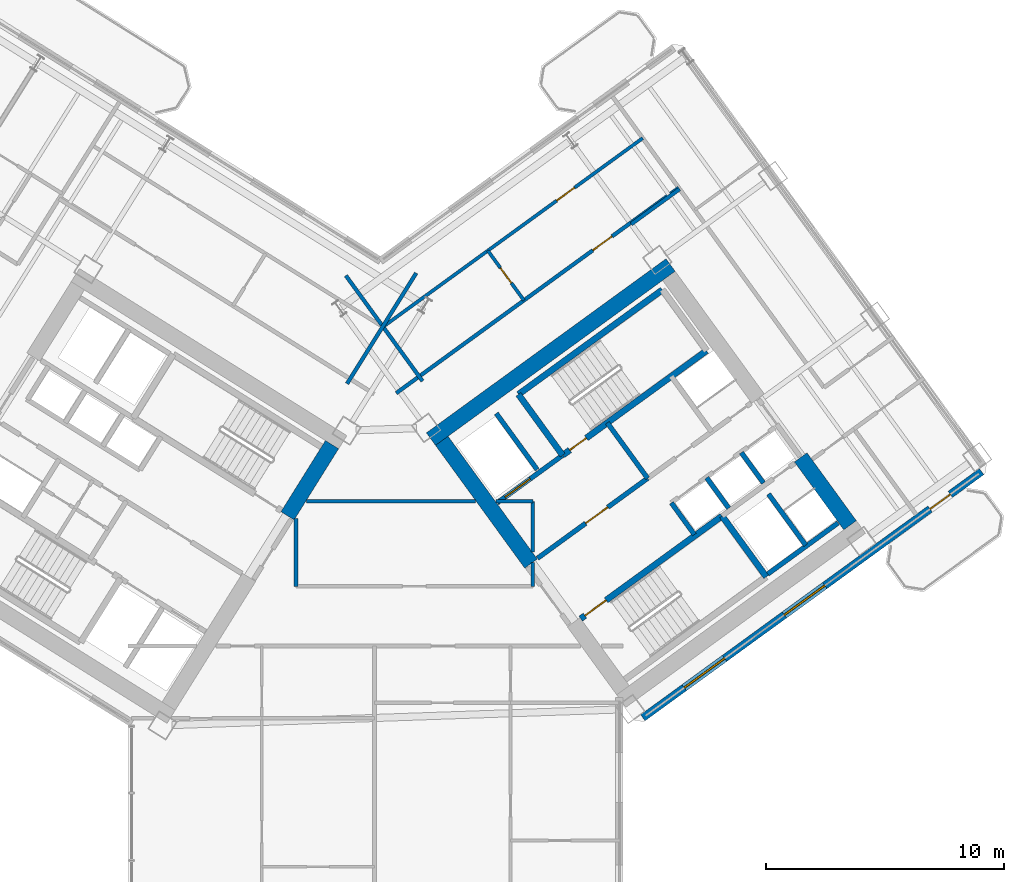
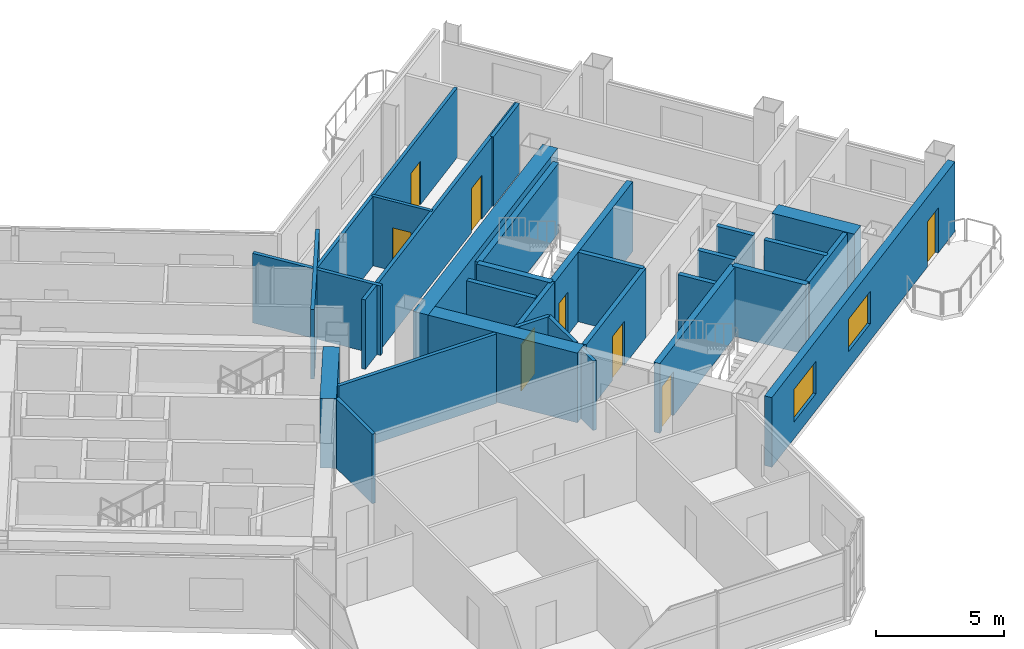
# One storey, part 14 of 22: 30 walls, 8 doors, 2 windows, 10 openings.
"""IFC4 building model written with IfcOpenShell, lengths in metres."""

from ifc_helpers import new_model, si_unit, direction, frame, frame_2d, origin, place, context, subcontext, project, spatial, rectangle, extrude, source, transform, mapped, material, layer, layer_set, type_object, element, fill, save


model = new_model("IFC4")

# Units and contexts
model_context = context("Model", 3, precision=1e-05, world=origin(), true_north=direction((0.0, 1.0)))
body_context = subcontext(model_context, "Body", "Model", "MODEL_VIEW")
ifc_project = project(units=[si_unit("LENGTHUNIT", "METRE"), si_unit("AREAUNIT", "SQUARE_METRE"), si_unit("VOLUMEUNIT", "CUBIC_METRE"), si_unit("PLANEANGLEUNIT", "RADIAN"), si_unit("MASSUNIT", "GRAM", prefix="KILO")], contexts=[model_context])

# Site, building, storey
site_placement = place(None, origin())
site = spatial("IfcSite", under=ifc_project, at=site_placement, CompositionType="ELEMENT")
building_placement = place(site_placement, origin())
building = spatial("IfcBuilding", under=site, at=building_placement, Name="Tlacorven Tower", CompositionType="ELEMENT")
storey_placement = place(building_placement, frame((0.0, 0.0, 97.199951171875)))
storey = spatial("IfcBuildingStorey", under=building, at=storey_placement, Name="L24", CompositionType="ELEMENT", Elevation=97.199951171875)

# Walls
ifc_material_1 = material(Name="Concrete C60/75", Category="concrete")
ifc_layer_1 = layer(ifc_material_1, 0.64990234375)
ifc_layer_set_1 = layer_set([ifc_layer_1], Name="Concrete C60/75")
wall_type_1 = type_object("IfcWallType", Name="WL-COR-650", PredefinedType="SHEAR", material=ifc_layer_set_1)
wall_1_placement = place(storey_placement, frame((40.167724609375, 23.880126953125, 0.0), z_axis=(0.0, 0.0, 1.0), x_axis=(-0.529893103397, -0.8480644427, 0.0)))
element("IfcWall", 1, at=wall_1_placement, inside=storey, type_object=wall_type_1, Name="L24 W core end wall E1.1", PredefinedType="SHEAR", context=body_context, shape_type="SweptSolid", body=[
    extrude(rectangle(XDim=3.525146484375, YDim=0.64990234375, at=frame_2d((1.7626953125, 0.0))), origin(), (0.0, 0.0, 1.0), 3.320068359375),
])
wall_2_placement = place(storey_placement, frame((44.32470703125, 24.113037109375, 0.0), z_axis=(0.0, 0.0, 1.0), x_axis=(0.809012664862, 0.58779121131, 0.0)))
element("IfcWall", 2, at=wall_2_placement, inside=storey, type_object=wall_type_1, Name="L24 E core shear wall S2", PredefinedType="SHEAR", context=body_context, shape_type="SweptSolid", body=[
    extrude(rectangle(XDim=12.439697265625, YDim=0.64990234375, at=frame_2d((6.2197265625, 0.0))), origin(), (0.0, 0.0, 1.0), 3.320068359375),
])
wall_3_placement = place(storey_placement, frame((48.525634765625, 18.883544921875, 0.0), z_axis=(0.0, 0.0, 1.0), x_axis=(-0.58777996584, 0.809020835181, 0.0)))
element("IfcWall", 3, at=wall_3_placement, inside=storey, type_object=wall_type_1, Name="L24 E core end wall E1.2", PredefinedType="SHEAR", context=body_context, shape_type="SweptSolid", body=[
    extrude(rectangle(XDim=6.375, YDim=0.64990234375, at=frame_2d((3.1875, 0.0))), origin(), (0.0, 0.0, 1.0), 3.320068359375),
])
wall_4_placement = place(storey_placement, frame((61.9287109375, 20.494384765625, 0.0), z_axis=(0.0, 0.0, 1.0), x_axis=(-0.58782982593, 0.808984607855, 0.0)))
element("IfcWall", 4, at=wall_4_placement, inside=storey, type_object=wall_type_1, Name="L24 E core end wall E2.1", PredefinedType="SHEAR", context=body_context, shape_type="SweptSolid", body=[
    extrude(rectangle(XDim=3.52490234375, YDim=0.64990234375, at=frame_2d((1.762451171875, 0.0))), origin(), (0.0, 0.0, 1.0), 3.320068359375),
])
ifc_material_2 = material(Name="Gypsum plasterboard acoustic partition", Category="gypsum")
ifc_layer_2 = layer(ifc_material_2, 0.159912109375)
ifc_layer_set_2 = layer_set([ifc_layer_2], Name="Gypsum plasterboard acoustic partition")
wall_type_2 = type_object("IfcWallType", Name="WL-DEM-160", PredefinedType="PARTITIONING", material=ifc_layer_set_2)
wall_5_placement = place(storey_placement, frame((43.70361328125, 31.086181640625, 0.0), z_axis=(0.0, 0.0, 1.0), x_axis=(-0.529906828443, -0.848055866774, 0.0)))
element("IfcWall", 5, at=wall_5_placement, inside=storey, type_object=wall_type_2, Name="L24 WC West Throat Wall", PredefinedType="PARTITIONING", context=body_context, shape_type="SweptSolid", body=[
    extrude(rectangle(XDim=5.479736328125, YDim=0.159912109375, at=frame_2d((2.73974609375, 0.0))), origin(), (0.0, 0.0, 1.0), 3.31005859375),
])
wall_6_placement = place(storey_placement, frame((38.64990234375, 17.929931640625, 0.0), z_axis=(0.0, 0.0, 1.0), x_axis=(0.0, 1.0, 0.0)))
element("IfcWall", 6, at=wall_6_placement, inside=storey, type_object=wall_type_2, Name="L24 partition 86", PredefinedType="PARTITIONING", context=body_context, shape_type="SweptSolid", body=[
    extrude(rectangle(XDim=2.85693359375, YDim=0.159912109375, at=frame_2d((1.428466796875, 0.0))), origin(), (0.0, 0.0, 1.0), 3.31005859375),
])
wall_7_placement = place(storey_placement, frame((48.60009765625, 17.929931640625, 0.0), z_axis=(0.0, 0.0, 1.0), x_axis=(0.0, 1.0, 0.0)))
element("IfcWall", 7, at=wall_7_placement, inside=storey, type_object=wall_type_2, Name="L24 partition 87", PredefinedType="PARTITIONING", context=body_context, shape_type="SweptSolid", body=[
    extrude(rectangle(XDim=0.99267578125, YDim=0.159912109375, at=frame_2d((0.496337890625, 0.0))), origin(), (0.0, 0.0, 1.0), 3.31005859375),
])
wall_8_placement = place(storey_placement, frame((48.60009765625, 19.380126953125, 0.0), z_axis=(0.0, 0.0, 1.0), x_axis=(0.0, 1.0, 0.0)))
element("IfcWall", 8, at=wall_8_placement, inside=storey, type_object=wall_type_2, Name="L24 partition 87", PredefinedType="PARTITIONING", context=body_context, shape_type="SweptSolid", body=[
    extrude(rectangle(XDim=2.119873046875, YDim=0.159912109375, at=frame_2d((1.06005859375, 0.0))), origin(), (0.0, 0.0, 1.0), 3.31005859375),
])
wall_9_placement = place(storey_placement, frame((39.095458984375, 21.5, 0.0), z_axis=(0.0, 0.0, 1.0), x_axis=(1.0, 0.0, 0.0)))
element("IfcWall", 9, at=wall_9_placement, inside=storey, type_object=wall_type_2, Name="L24 partition 88", PredefinedType="PARTITIONING", context=body_context, shape_type="SweptSolid", body=[
    extrude(rectangle(XDim=7.09423828125, YDim=0.159912109375, at=frame_2d((3.547119140625, 0.0))), origin(), (0.0, 0.0, 1.0), 3.31005859375),
])
wall_10_placement = place(storey_placement, frame((47.059814453125, 21.5, 0.0), z_axis=(0.0, 0.0, 1.0), x_axis=(1.0, 0.0, 0.0)))
element("IfcWall", 10, at=wall_10_placement, inside=storey, type_object=wall_type_2, Name="L24 partition 88", PredefinedType="PARTITIONING", context=body_context, shape_type="SweptSolid", body=[
    extrude(rectangle(XDim=1.540283203125, YDim=0.159912109375, at=frame_2d((0.77001953125, 0.0))), origin(), (0.0, 0.0, 1.0), 3.31005859375),
])
wall_11_placement = place(storey_placement, frame((52.73876953125, 33.143310546875, 0.0), z_axis=(0.0, 0.0, 1.0), x_axis=(0.809000999347, 0.58780726693, 0.0)))
element("IfcWall", 11, at=wall_11_placement, inside=storey, type_object=wall_type_2, Name="L24 partition 101", PredefinedType="PARTITIONING", context=body_context, shape_type="SweptSolid", body=[
    extrude(rectangle(XDim=2.510009765625, YDim=0.159912109375, at=frame_2d((1.2548828125, 0.0))), origin(), (0.0, 0.0, 1.0), 3.31005859375),
])

# Wall, opening, door
wall_12_placement = place(storey_placement, frame((42.86572265625, 26.04443359375, 0.0), z_axis=(0.0, 0.0, 1.0), x_axis=(0.809020254154, 0.587780765566, 0.0)))
wall_12 = element("IfcWall", 12, at=wall_12_placement, inside=storey, type_object=wall_type_2, Name="L24 partition 108", PredefinedType="PARTITIONING", context=body_context, shape_type="SweptSolid", body=[
    extrude(rectangle(XDim=14.670166015625, YDim=0.159912109375, at=frame_2d((7.3349609375, 0.0))), origin(), (0.0, 0.0, 1.0), 3.31005859375),
])
opening_1_placement = place(wall_12_placement, frame((10.199951171875, 0.0, 0.0)))
opening_1 = element("IfcOpeningElement", 13, at=opening_1_placement, cuts=wall_12, Name="Opening D11", PredefinedType="OPENING", context=body_context, shape_type="SweptSolid", body=[
    extrude(rectangle(XDim=1.0, YDim=2.10009765625, at=frame_2d((0.5, 1.050048828125))), frame((0.0, 0.08984375, 0.0), z_axis=(0.0, -1.0, 0.0), x_axis=(1.0, 0.0, 0.0)), (0.0, 0.0, 1.0), 0.179931640625),
])
ifc_material_3 = material(Name="Fire-rated steel door assembly", Category="steel")
door_type_1 = type_object("IfcDoorType", Name="DR-FLT-FD60-1000", OperationType="NOTDEFINED", PredefinedType="DOOR", material=ifc_material_3)
shared_shape_1 = source(origin(), body_context, "Body", "SweptSolid", [
    extrude(rectangle(XDim=1.0, YDim=2.10009765625, at=frame_2d((0.5, 1.050048828125))), frame((0.0, 0.02490234375, 0.0), z_axis=(0.0, -1.0, 0.0), x_axis=(1.0, 0.0, 0.0)), (0.0, 0.0, 1.0), 0.050048828125),
])
door_1_placement = place(opening_1_placement, origin())
door_1 = element("IfcDoor", 14, at=door_1_placement, inside=storey, type_object=door_type_1, Name="L24 door 069", OperationType="SINGLE_SWING_LEFT", OverallHeight=2.10009765625, OverallWidth=1.0, PredefinedType="DOOR", context=body_context, shape_type="MappedRepresentation", body=[
    mapped(shared_shape_1, transform((0.0, 0.0, 0.0), scale=1.0)),
])
fill(opening_1, door_1)

# Wall
wall_13_placement = place(storey_placement, frame((43.969482421875, 26.549560546875, 0.0), z_axis=(0.0, 0.0, 1.0), x_axis=(-0.587776919386, 0.80902304852, 0.0)))
element("IfcWall", 15, at=wall_13_placement, inside=storey, type_object=wall_type_2, Name="L24 EC West Throat Wall", PredefinedType="PARTITIONING", context=body_context, shape_type="SweptSolid", body=[
    extrude(rectangle(XDim=5.47998046875, YDim=0.159912109375, at=frame_2d((2.739990234375, 0.0))), origin(), (0.0, 0.0, 1.0), 3.31005859375),
])

# Wall, openings, door, windows
ifc_material_4 = material(Name="Precast concrete C45/55", Category="concrete")
ifc_layer_3 = layer(ifc_material_4, 0.320068359375)
ifc_layer_set_3 = layer_set([ifc_layer_3], Name="Precast concrete C45/55")
wall_type_3 = type_object("IfcWallType", Name="WL-EXT-320", PredefinedType="STANDARD", material=ifc_layer_set_3)
wall_14_placement = place(storey_placement, frame((67.45361328125, 22.746826171875, 0.0), z_axis=(0.0, 0.0, 1.0), x_axis=(-0.809021120468, -0.587779573171, 0.0)))
wall_14 = element("IfcWall", 16, at=wall_14_placement, inside=storey, type_object=wall_type_3, Name="L24 Masonry-Frame Recessed Facade Wall 6", PredefinedType="STANDARD", context=body_context, shape_type="SweptSolid", body=[
    extrude(rectangle(XDim=17.587646484375, YDim=0.320068359375, at=frame_2d((8.7939453125, 0.0))), origin(), (0.0, 0.0, 1.0), 3.320068359375),
])
opening_2_placement = place(wall_14_placement, frame((1.623779296875, 0.0, 0.0)))
opening_2 = element("IfcOpeningElement", 17, at=opening_2_placement, cuts=wall_14, Name="Opening D06", PredefinedType="OPENING", context=body_context, shape_type="SweptSolid", body=[
    extrude(rectangle(XDim=1.050048828125, YDim=2.14990234375, at=frame_2d((0.52490234375, 1.074951171875))), frame((0.0, 0.169921875, 0.0), z_axis=(0.0, -1.0, 0.0), x_axis=(1.0, 0.0, 0.0)), (0.0, 0.0, 1.0), 0.340087890625),
])
opening_3_placement = place(wall_14_placement, frame((8.143798828125, 0.0, 0.800048828125)))
opening_3 = element("IfcOpeningElement", 18, at=opening_3_placement, cuts=wall_14, Name="Opening WN04", PredefinedType="OPENING", context=body_context, shape_type="SweptSolid", body=[
    extrude(rectangle(XDim=2.10009765625, YDim=1.550048828125, at=frame_2d((1.050048828125, 0.77490234375))), frame((0.0, 0.169921875, 0.0), z_axis=(0.0, -1.0, 0.0), x_axis=(1.0, 0.0, 0.0)), (0.0, 0.0, 1.0), 0.340087890625),
])
opening_4_placement = place(wall_14_placement, frame((13.34375, 0.0, 0.800048828125)))
opening_4 = element("IfcOpeningElement", 19, at=opening_4_placement, cuts=wall_14, Name="Opening WN04", PredefinedType="OPENING", context=body_context, shape_type="SweptSolid", body=[
    extrude(rectangle(XDim=2.10009765625, YDim=1.550048828125, at=frame_2d((1.050048828125, 0.77490234375))), frame((0.0, 0.169921875, 0.0), z_axis=(0.0, -1.0, 0.0), x_axis=(1.0, 0.0, 0.0)), (0.0, 0.0, 1.0), 0.340087890625),
])
ifc_material_5 = material(Name="Powder-coated aluminium and timber door", Category="wood")
door_type_2 = type_object("IfcDoorType", Name="DR-EXT-BALC-1050", OperationType="NOTDEFINED", PredefinedType="DOOR", material=ifc_material_5)
shared_shape_2 = source(origin(), body_context, "Body", "SweptSolid", [
    extrude(rectangle(XDim=1.050048828125, YDim=2.14990234375, at=frame_2d((0.52490234375, 1.074951171875))), frame((0.0, 0.02490234375, 0.0), z_axis=(0.0, -1.0, 0.0), x_axis=(1.0, 0.0, 0.0)), (0.0, 0.0, 1.0), 0.050048828125),
])
door_2_placement = place(opening_2_placement, origin())
door_2 = element("IfcDoor", 20, at=door_2_placement, inside=storey, type_object=door_type_2, Name="L24 Outdoor Access Door BAL-L24-E-OUT", OperationType="SINGLE_SWING_LEFT", OverallHeight=2.14990234375, OverallWidth=1.050048828125, PredefinedType="DOOR", context=body_context, shape_type="MappedRepresentation", body=[
    mapped(shared_shape_2, transform((0.0, 0.0, 0.0), scale=1.0)),
])
fill(opening_2, door_2)
ifc_material_6 = material(Name="Dark solar low-E double glazing in anodised aluminium frame", Category="aluminium")
window_type = type_object("IfcWindowType", Name="WN-APT-2100X1750", PartitioningType="SINGLE_PANEL", PredefinedType="WINDOW", material=ifc_material_6)
shared_shape_3 = source(origin(), body_context, "Body", "SweptSolid", [
    extrude(rectangle(XDim=2.10009765625, YDim=1.550048828125, at=frame_2d((1.050048828125, 0.77490234375))), frame((0.0, 0.030029296875, 0.0), z_axis=(0.0, -1.0, 0.0), x_axis=(1.0, 0.0, 0.0)), (0.0, 0.0, 1.0), 0.06005859375),
])
window_1_placement = place(opening_3_placement, origin())
window_1 = element("IfcWindow", 21, at=window_1_placement, inside=storey, type_object=window_type, Name="L24 Recessed Masonry-Frame Window L24-06.1", OverallHeight=1.550048828125, OverallWidth=2.10009765625, PartitioningType="SINGLE_PANEL", PredefinedType="WINDOW", context=body_context, shape_type="MappedRepresentation", body=[
    mapped(shared_shape_3, transform((0.0, 0.0, 0.0), scale=1.0)),
])
fill(opening_3, window_1)
window_2_placement = place(opening_4_placement, origin())
window_2 = element("IfcWindow", 22, at=window_2_placement, inside=storey, type_object=window_type, Name="L24 Recessed Masonry-Frame Window L24-06.2", OverallHeight=1.550048828125, OverallWidth=2.10009765625, PartitioningType="SINGLE_PANEL", PredefinedType="WINDOW", context=body_context, shape_type="MappedRepresentation", body=[
    mapped(shared_shape_3, transform((0.0, 0.0, 0.0), scale=1.0)),
])
fill(opening_4, window_2)

# Wall, opening, door
ifc_material_7 = material(Name="Moisture-resistant gypsum plumbing wall", Category="gypsum")
ifc_layer_4 = layer(ifc_material_7, 0.139892578125)
ifc_layer_set_4 = layer_set([ifc_layer_4], Name="Moisture-resistant gypsum plumbing wall")
wall_type_4 = type_object("IfcWallType", Name="WL-PLM-140", PredefinedType="PLUMBINGWALL", material=ifc_layer_set_4)
wall_15_placement = place(storey_placement, frame((42.376708984375, 28.878173828125, 0.0), z_axis=(0.0, 0.0, 1.0), x_axis=(0.809020411523, 0.587780548963, 0.0)))
wall_15 = element("IfcWall", 23, at=wall_15_placement, inside=storey, type_object=wall_type_4, Name="L24 partition 110", PredefinedType="PLUMBINGWALL", context=body_context, shape_type="SweptSolid", body=[
    extrude(rectangle(XDim=13.39990234375, YDim=0.139892578125, at=frame_2d((6.699951171875, 0.0))), origin(), (0.0, 0.0, 1.0), 3.31005859375),
])
opening_5_placement = place(wall_15_placement, frame((8.93994140625, 0.0, 0.0)))
opening_5 = element("IfcOpeningElement", 24, at=opening_5_placement, cuts=wall_15, Name="Opening D12", PredefinedType="OPENING", context=body_context, shape_type="SweptSolid", body=[
    extrude(rectangle(XDim=0.919921875, YDim=2.080078125, at=frame_2d((0.4599609375, 1.0400390625))), frame((0.0, 0.080078125, 0.0), z_axis=(0.0, -1.0, 0.0), x_axis=(1.0, 0.0, 0.0)), (0.0, 0.0, 1.0), 0.159912109375),
])
door_type_3 = type_object("IfcDoorType", Name="DR-INT-ROOM-0920", OperationType="NOTDEFINED", PredefinedType="DOOR", material=ifc_material_5)
shared_shape_4 = source(origin(), body_context, "Body", "SweptSolid", [
    extrude(rectangle(XDim=0.919921875, YDim=2.080078125, at=frame_2d((0.4599609375, 1.0400390625))), frame((0.0, 0.02490234375, 0.0), z_axis=(0.0, -1.0, 0.0), x_axis=(1.0, 0.0, 0.0)), (0.0, 0.0, 1.0), 0.050048828125),
])
door_3_placement = place(opening_5_placement, origin())
door_3 = element("IfcDoor", 25, at=door_3_placement, inside=storey, type_object=door_type_3, Name="L24 door 070", OperationType="SINGLE_SWING_RIGHT", OverallHeight=2.080078125, OverallWidth=0.919921875, PredefinedType="DOOR", context=body_context, shape_type="MappedRepresentation", body=[
    mapped(shared_shape_4, transform((0.0, 0.0, 0.0), scale=1.0)),
])
fill(opening_5, door_3)

wall_16_placement = place(storey_placement, frame((48.2294921875, 29.94140625, 0.0), z_axis=(0.0, 0.0, 1.0), x_axis=(-0.587772116736, 0.809026537752, 0.0)))
wall_16 = element("IfcWall", 26, at=wall_16_placement, inside=storey, type_object=wall_type_4, Name="L24 partition 111", PredefinedType="PLUMBINGWALL", context=body_context, shape_type="SweptSolid", body=[
    extrude(rectangle(XDim=2.579833984375, YDim=0.139892578125, at=frame_2d((1.2900390625, 0.0))), origin(), (0.0, 0.0, 1.0), 3.31005859375),
])
opening_6_placement = place(wall_16_placement, frame((0.89990234375, 0.0, 0.0)))
opening_6 = element("IfcOpeningElement", 27, at=opening_6_placement, cuts=wall_16, Name="Opening D22", PredefinedType="OPENING", context=body_context, shape_type="SweptSolid", body=[
    extrude(rectangle(XDim=0.780029296875, YDim=2.050048828125, at=frame_2d((0.39013671875, 1.02490234375))), frame((0.0, 0.080078125, 0.0), z_axis=(0.0, -1.0, 0.0), x_axis=(1.0, 0.0, 0.0)), (0.0, 0.0, 1.0), 0.159912109375),
])
door_type_4 = type_object("IfcDoorType", Name="DR-INT-WET-0780", OperationType="NOTDEFINED", PredefinedType="DOOR", material=ifc_material_5)
shared_shape_5 = source(origin(), body_context, "Body", "SweptSolid", [
    extrude(rectangle(XDim=0.780029296875, YDim=2.050048828125, at=frame_2d((0.39013671875, 1.02490234375))), frame((0.0, 0.02490234375, 0.0), z_axis=(0.0, -1.0, 0.0), x_axis=(1.0, 0.0, 0.0)), (0.0, 0.0, 1.0), 0.050048828125),
])
door_4_placement = place(opening_6_placement, origin())
door_4 = element("IfcDoor", 28, at=door_4_placement, inside=storey, type_object=door_type_4, Name="L24 door 071", OperationType="SINGLE_SWING_LEFT", OverallHeight=2.050048828125, OverallWidth=0.780029296875, PredefinedType="DOOR", context=body_context, shape_type="MappedRepresentation", body=[
    mapped(shared_shape_5, transform((0.0, 0.0, 0.0), scale=1.0)),
])
fill(opening_6, door_4)

ifc_material_8 = material(Name="Concrete C40/50", Category="concrete")
ifc_layer_5 = layer(ifc_material_8, 0.199951171875)
ifc_layer_set_5 = layer_set([ifc_layer_5], Name="Concrete C40/50")
wall_type_5 = type_object("IfcWallType", Name="WL-SHF-200", PredefinedType="STANDARD", material=ifc_layer_set_5)
wall_17_placement = place(storey_placement, frame((47.10595703125, 21.4365234375, 0.0), z_axis=(0.0, 0.0, 1.0), x_axis=(0.809012514015, 0.58779141893, 0.0)))
wall_17 = element("IfcWall", 29, at=wall_17_placement, inside=storey, type_object=wall_type_5, Name="L24 Core E Firefighting Lift Shaft Front Wall", PredefinedType="STANDARD", context=body_context, shape_type="SweptSolid", body=[
    extrude(rectangle(XDim=3.39794921875, YDim=0.199951171875, at=frame_2d((1.698974609375, 0.0))), origin(), (0.0, 0.0, 1.0), 3.31005859375),
])
opening_7_placement = place(wall_17_placement, frame((0.407958984375, 0.0, 0.0)))
opening_7 = element("IfcOpeningElement", 30, at=opening_7_placement, cuts=wall_17, Name="Opening LD03", PredefinedType="OPENING", context=body_context, shape_type="SweptSolid", body=[
    extrude(rectangle(XDim=1.300048828125, YDim=2.199951171875, at=frame_2d((0.64990234375, 1.10009765625))), frame((0.0, 0.10986328125, 0.0), z_axis=(0.0, -1.0, 0.0), x_axis=(1.0, 0.0, 0.0)), (0.0, 0.0, 1.0), 0.219970703125),
])
door_type_5 = type_object("IfcDoorType", Name="DR-LFT-SLID-1300", OperationType="DOUBLE_DOOR_SLIDING", PredefinedType="DOOR", material=ifc_material_3)
shared_shape_6 = source(origin(), body_context, "Body", "SweptSolid", [
    extrude(rectangle(XDim=1.300048828125, YDim=2.199951171875, at=frame_2d((0.64990234375, 1.10009765625))), frame((0.0, 0.02490234375, 0.0), z_axis=(0.0, -1.0, 0.0), x_axis=(1.0, 0.0, 0.0)), (0.0, 0.0, 1.0), 0.050048828125),
])
door_5_placement = place(opening_7_placement, origin())
door_5 = element("IfcDoor", 31, at=door_5_placement, inside=storey, type_object=door_type_5, Name="L24 Lift FFL-E1 Sliding Landing Door", OperationType="DOUBLE_DOOR_SLIDING", OverallHeight=2.199951171875, OverallWidth=1.300048828125, PredefinedType="DOOR", context=body_context, shape_type="MappedRepresentation", body=[
    mapped(shared_shape_6, transform((0.0, 0.0, 0.0), scale=1.0)),
])
fill(opening_7, door_5)

wall_18_placement = place(storey_placement, frame((48.798828125, 19.106689453125, 0.0), z_axis=(0.0, 0.0, 1.0), x_axis=(0.809012959416, 0.587790805897, 0.0)))
wall_18 = element("IfcWall", 32, at=wall_18_placement, inside=storey, type_object=wall_type_5, Name="L24 Core E Smoke Lobby Wall", PredefinedType="STANDARD", context=body_context, shape_type="SweptSolid", body=[
    extrude(rectangle(XDim=5.7177734375, YDim=0.199951171875, at=frame_2d((2.85888671875, 0.0))), origin(), (0.0, 0.0, 1.0), 3.31005859375),
])
opening_8_placement = place(wall_18_placement, frame((2.498046875, 0.0, 0.0)))
opening_8 = element("IfcOpeningElement", 33, at=opening_8_placement, cuts=wall_18, Name="Opening D09", PredefinedType="OPENING", context=body_context, shape_type="SweptSolid", body=[
    extrude(rectangle(XDim=1.14990234375, YDim=2.10009765625, at=frame_2d((0.574951171875, 1.050048828125))), frame((0.0, 0.10986328125, 0.0), z_axis=(0.0, -1.0, 0.0), x_axis=(1.0, 0.0, 0.0)), (0.0, 0.0, 1.0), 0.219970703125),
])
door_type_6 = type_object("IfcDoorType", Name="DR-FFL-FD60-1150", OperationType="NOTDEFINED", PredefinedType="DOOR", material=ifc_material_3)
shared_shape_7 = source(origin(), body_context, "Body", "SweptSolid", [
    extrude(rectangle(XDim=1.14990234375, YDim=2.10009765625, at=frame_2d((0.574951171875, 1.050048828125))), frame((0.0, 0.02490234375, 0.0), z_axis=(0.0, -1.0, 0.0), x_axis=(1.0, 0.0, 0.0)), (0.0, 0.0, 1.0), 0.050048828125),
])
door_6_placement = place(opening_8_placement, origin())
door_6 = element("IfcDoor", 34, at=door_6_placement, inside=storey, type_object=door_type_6, Name="L24 Firefighting Lobby E Fire Door", OperationType="SINGLE_SWING_RIGHT", OverallHeight=2.10009765625, OverallWidth=1.14990234375, PredefinedType="DOOR", context=body_context, shape_type="MappedRepresentation", body=[
    mapped(shared_shape_7, transform((0.0, 0.0, 0.0), scale=1.0)),
])
fill(opening_8, door_6)

# Walls
wall_19_placement = place(storey_placement, frame((55.390869140625, 20.1015625, 0.0), z_axis=(0.0, 0.0, 1.0), x_axis=(-0.58778447739, 0.809017557374, 0.0)))
element("IfcWall", 35, at=wall_19_placement, inside=storey, type_object=wall_type_5, Name="L24 partition 37", PredefinedType="STANDARD", context=body_context, shape_type="SweptSolid", body=[
    extrude(rectangle(XDim=1.64990234375, YDim=0.199951171875, at=frame_2d((0.824951171875, 0.0))), origin(), (0.0, 0.0, 1.0), 3.31005859375),
])
wall_20_placement = place(storey_placement, frame((48.78564453125, 22.830078125, 0.0), z_axis=(0.0, 0.0, 1.0), x_axis=(-0.587783856777, 0.809018008275, 0.0)))
element("IfcWall", 36, at=wall_20_placement, inside=storey, type_object=wall_type_5, Name="L24 partition 38", PredefinedType="STANDARD", context=body_context, shape_type="SweptSolid", body=[
    extrude(rectangle(XDim=2.919921875, YDim=0.199951171875, at=frame_2d((1.4599609375, 0.0))), origin(), (0.0, 0.0, 1.0), 3.31005859375),
])
wall_21_placement = place(storey_placement, frame((56.833984375, 21.211669921875, 0.0), z_axis=(0.0, 0.0, 1.0), x_axis=(-0.58776738483, 0.809029975545, 0.0)))
element("IfcWall", 37, at=wall_21_placement, inside=storey, type_object=wall_type_5, Name="L24 partition 39", PredefinedType="STANDARD", context=body_context, shape_type="SweptSolid", body=[
    extrude(rectangle(XDim=1.580078125, YDim=0.199951171875, at=frame_2d((0.7900390625, 0.0))), origin(), (0.0, 0.0, 1.0), 3.31005859375),
])
wall_22_placement = place(storey_placement, frame((58.290283203125, 22.269775390625, 0.0), z_axis=(0.0, 0.0, 1.0), x_axis=(-0.587840865826, 0.808976585857, 0.0)))
element("IfcWall", 38, at=wall_22_placement, inside=storey, type_object=wall_type_5, Name="L24 partition 40", PredefinedType="STANDARD", context=body_context, shape_type="SweptSolid", body=[
    extrude(rectangle(XDim=1.579833984375, YDim=0.199951171875, at=frame_2d((0.7900390625, 0.0))), origin(), (0.0, 0.0, 1.0), 3.31005859375),
])
wall_23_placement = place(storey_placement, frame((60.066650390625, 19.654541015625, 0.0), z_axis=(0.0, 0.0, 1.0), x_axis=(-0.587800520745, 0.809005900975, 0.0)))
element("IfcWall", 39, at=wall_23_placement, inside=storey, type_object=wall_type_5, Name="L24 partition 41", PredefinedType="STANDARD", context=body_context, shape_type="SweptSolid", body=[
    extrude(rectangle(XDim=2.659912109375, YDim=0.199951171875, at=frame_2d((1.330078125, 0.0))), origin(), (0.0, 0.0, 1.0), 3.31005859375),
])
wall_24_placement = place(storey_placement, frame((58.47216796875, 18.446533203125, 0.0), z_axis=(0.0, 0.0, 1.0), x_axis=(0.809022487728, 0.587777691266, 0.0)))
element("IfcWall", 40, at=wall_24_placement, inside=storey, type_object=wall_type_5, Name="L24 partition 43", PredefinedType="STANDARD", context=body_context, shape_type="SweptSolid", body=[
    extrude(rectangle(XDim=3.648193359375, YDim=0.199951171875, at=frame_2d((1.82421875, 0.0))), origin(), (0.0, 0.0, 1.0), 3.31005859375),
])
wall_25_placement = place(storey_placement, frame((53.424560546875, 22.467529296875, 0.0), z_axis=(0.0, 0.0, 1.0), x_axis=(-0.5877230039, 0.809062216821, 0.0)))
element("IfcWall", 41, at=wall_25_placement, inside=storey, type_object=wall_type_5, Name="L24 partition 45", PredefinedType="STANDARD", context=body_context, shape_type="SweptSolid", body=[
    extrude(rectangle(XDim=2.8798828125, YDim=0.199951171875, at=frame_2d((1.43994140625, 0.0))), origin(), (0.0, 0.0, 1.0), 3.31005859375),
])
ifc_material_9 = material(Name="Concrete C50/60", Category="concrete")
ifc_layer_6 = layer(ifc_material_9, 0.260009765625)
ifc_layer_set_6 = layer_set([ifc_layer_6], Name="Concrete C50/60")
wall_type_6 = type_object("IfcWallType", Name="WL-STW-260", PredefinedType="SHEAR", material=ifc_layer_set_6)
wall_26_placement = place(storey_placement, frame((48.005615234375, 25.996337890625, 0.0), z_axis=(0.0, 0.0, 1.0), x_axis=(0.80901903764, 0.587782439969, 0.0)))
element("IfcWall", 42, at=wall_26_placement, inside=storey, type_object=wall_type_6, Name="L24 Stair E1 Far Shear Wall", PredefinedType="SHEAR", context=body_context, shape_type="SweptSolid", body=[
    extrude(rectangle(XDim=7.4599609375, YDim=0.260009765625, at=frame_2d((3.72998046875, 0.0))), origin(), (0.0, 0.0, 1.0), 3.320068359375),
])

# Wall, opening, door
wall_27_placement = place(storey_placement, frame((49.863037109375, 23.439697265625, 0.0), z_axis=(0.0, 0.0, 1.0), x_axis=(0.809003474932, 0.587803859759, 0.0)))
wall_27 = element("IfcWall", 43, at=wall_27_placement, inside=storey, type_object=wall_type_6, Name="L24 Stair E1 Lobby Shear Wall", PredefinedType="SHEAR", context=body_context, shape_type="SweptSolid", body=[
    extrude(rectangle(XDim=7.4599609375, YDim=0.260009765625, at=frame_2d((3.72998046875, 0.0))), origin(), (0.0, 0.0, 1.0), 3.320068359375),
])
opening_9_placement = place(wall_27_placement, frame((0.360107421875, 0.0, 0.0)))
opening_9 = element("IfcOpeningElement", 44, at=opening_9_placement, cuts=wall_27, Name="Opening D19", PredefinedType="OPENING", context=body_context, shape_type="SweptSolid", body=[
    extrude(rectangle(XDim=0.860107421875, YDim=2.050048828125, at=frame_2d((0.43017578125, 1.02490234375))), frame((0.0, 0.14013671875, 0.0), z_axis=(0.0, -1.0, 0.0), x_axis=(1.0, 0.0, 0.0)), (0.0, 0.0, 1.0), 0.280029296875),
])
door_type_7 = type_object("IfcDoorType", Name="DR-RSR-FD60-0860", OperationType="NOTDEFINED", PredefinedType="DOOR", material=ifc_material_3)
shared_shape_8 = source(origin(), body_context, "Body", "SweptSolid", [
    extrude(rectangle(XDim=0.860107421875, YDim=2.050048828125, at=frame_2d((0.43017578125, 1.02490234375))), frame((0.0, 0.02490234375, 0.0), z_axis=(0.0, -1.0, 0.0), x_axis=(1.0, 0.0, 0.0)), (0.0, 0.0, 1.0), 0.050048828125),
])
door_7_placement = place(opening_9_placement, frame((0.860107421875, 0.0, 0.0), z_axis=(0.0, 0.0, 1.0), x_axis=(-1.0, 0.0, 0.0)))
door_7 = element("IfcDoor", 45, at=door_7_placement, inside=storey, type_object=door_type_7, Name="L24 Exit Stair E1 Fire Door", OperationType="SINGLE_SWING_LEFT", OverallHeight=2.050048828125, OverallWidth=0.860107421875, PredefinedType="DOOR", context=body_context, shape_type="MappedRepresentation", body=[
    mapped(shared_shape_8, transform((0.0, 0.0, 0.0), scale=1.0)),
])
fill(opening_9, door_7)

# Wall
wall_28_placement = place(storey_placement, frame((49.85498046875, 23.433837890625, 0.0), z_axis=(0.0, 0.0, 1.0), x_axis=(-0.58776738483, 0.809029975545, 0.0)))
element("IfcWall", 46, at=wall_28_placement, inside=storey, type_object=wall_type_6, Name="L24 Stair E1 West Shear Wall", PredefinedType="SHEAR", context=body_context, shape_type="SweptSolid", body=[
    extrude(rectangle(XDim=3.16015625, YDim=0.260009765625, at=frame_2d((1.580078125, 0.0))), origin(), (0.0, 0.0, 1.0), 3.320068359375),
])

# Wall, opening, door
wall_29_placement = place(storey_placement, frame((50.61474609375, 16.569580078125, 0.0), z_axis=(0.0, 0.0, 1.0), x_axis=(0.809028366311, 0.587769599847, 0.0)))
wall_29 = element("IfcWall", 47, at=wall_29_placement, inside=storey, type_object=wall_type_6, Name="L24 Stair E2 Lobby Shear Wall", PredefinedType="SHEAR", context=body_context, shape_type="SweptSolid", body=[
    extrude(rectangle(XDim=7.330078125, YDim=0.260009765625, at=frame_2d((3.6650390625, 0.0))), origin(), (0.0, 0.0, 1.0), 3.320068359375),
])
opening_10_placement = place(wall_29_placement, frame((0.219970703125, 0.0, 0.0)))
opening_10 = element("IfcOpeningElement", 48, at=opening_10_placement, cuts=wall_29, Name="Opening D07", PredefinedType="OPENING", context=body_context, shape_type="SweptSolid", body=[
    extrude(rectangle(XDim=1.10009765625, YDim=2.10009765625, at=frame_2d((0.550048828125, 1.050048828125))), frame((0.0, 0.14013671875, 0.0), z_axis=(0.0, -1.0, 0.0), x_axis=(1.0, 0.0, 0.0)), (0.0, 0.0, 1.0), 0.280029296875),
])
door_type_8 = type_object("IfcDoorType", Name="DR-STR-FD90-1100", OperationType="NOTDEFINED", PredefinedType="DOOR", material=ifc_material_3)
shared_shape_9 = source(origin(), body_context, "Body", "SweptSolid", [
    extrude(rectangle(XDim=1.10009765625, YDim=2.10009765625, at=frame_2d((0.550048828125, 1.050048828125))), frame((0.0, 0.02490234375, 0.0), z_axis=(0.0, -1.0, 0.0), x_axis=(1.0, 0.0, 0.0)), (0.0, 0.0, 1.0), 0.050048828125),
])
door_8_placement = place(opening_10_placement, origin())
door_8 = element("IfcDoor", 49, at=door_8_placement, inside=storey, type_object=door_type_8, Name="L24 Exit Stair E2 Fire Door", OperationType="SINGLE_SWING_LEFT", OverallHeight=2.10009765625, OverallWidth=1.10009765625, PredefinedType="DOOR", context=body_context, shape_type="MappedRepresentation", body=[
    mapped(shared_shape_9, transform((0.0, 0.0, 0.0), scale=1.0)),
])
fill(opening_10, door_8)

# Wall
wall_30_placement = place(storey_placement, frame((58.410400390625, 18.327392578125, 0.0), z_axis=(0.0, 0.0, 1.0), x_axis=(-0.58776738483, 0.809029975545, 0.0)))
element("IfcWall", 50, at=wall_30_placement, inside=storey, type_object=wall_type_6, Name="L24 Stair E2 East Shear Wall", PredefinedType="SHEAR", context=body_context, shape_type="SweptSolid", body=[
    extrude(rectangle(XDim=3.16015625, YDim=0.260009765625, at=frame_2d((1.580078125, 0.0))), origin(), (0.0, 0.0, 1.0), 3.320068359375),
])

save(model, "model.ifc")
